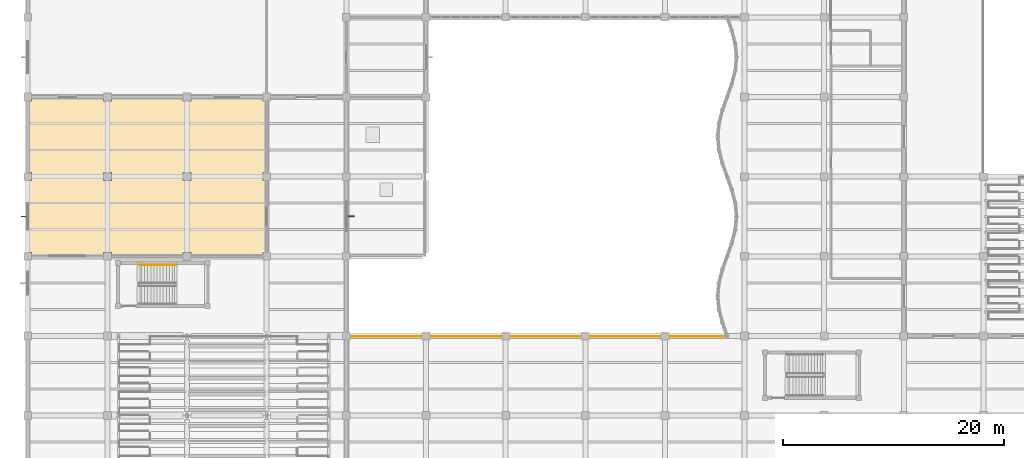
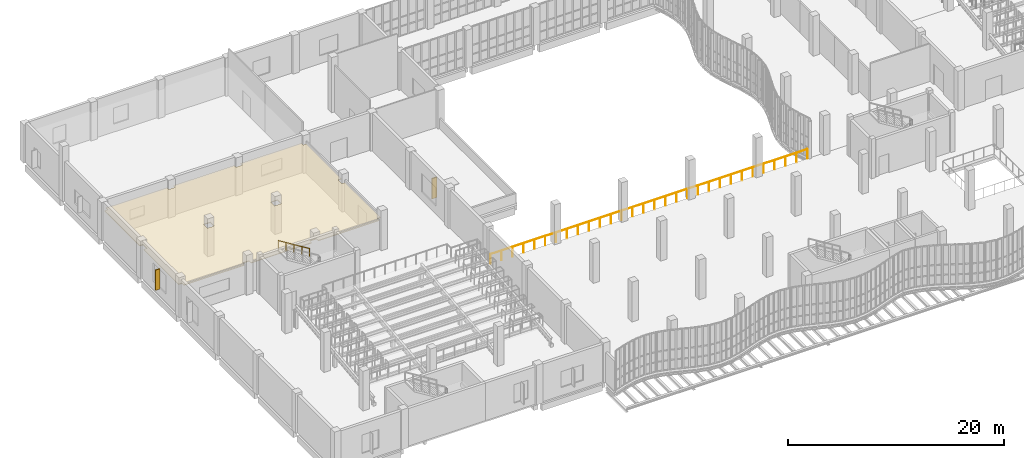
# One storey, part 98 of 108: 2 railings, 2 shading devices, 1 covering.
"""IFC4 building model written with IfcOpenShell, lengths in metres."""

from ifc_helpers import new_model, si_unit, direction, frame, origin, origin_2d, place, context, subcontext, project, spatial, polyline, rectangle, circle, outline, extrude, material, layer, layer_set, type_object, element, save


model = new_model("IFC4")

# Units and contexts
model_context = context("Model", 3, precision=1e-05, world=origin(), true_north=direction((0.0, 1.0)))
body_context = subcontext(model_context, "Body", "Model", "MODEL_VIEW")
ifc_project = project(units=[si_unit("LENGTHUNIT", "METRE"), si_unit("AREAUNIT", "SQUARE_METRE"), si_unit("VOLUMEUNIT", "CUBIC_METRE"), si_unit("PLANEANGLEUNIT", "RADIAN"), si_unit("MASSUNIT", "GRAM", prefix="KILO"), si_unit("THERMODYNAMICTEMPERATUREUNIT", "KELVIN"), si_unit("POWERUNIT", "WATT")], contexts=[model_context])

# Site, building, storey
site_placement = place(None, origin())
site = spatial("IfcSite", under=ifc_project, at=site_placement, CompositionType="ELEMENT")
building_placement = place(site_placement, origin())
building = spatial("IfcBuilding", under=site, at=building_placement, Name="Kaldorven Railside Theatre", CompositionType="ELEMENT")
storey_placement = place(building_placement, frame((0.0, 0.0, 5.39990234375)))
storey = spatial("IfcBuildingStorey", under=building, at=storey_placement, Name="L01", CompositionType="ELEMENT", Elevation=5.39990234375)

# Covering
ifc_material_1 = material(Name="Acoustic hardwood timber", Category="wood")
ifc_layer = layer(ifc_material_1, 0.080078125, Name="Acoustic hardwood timber")
ifc_layer_set = layer_set([ifc_layer], Name="Acoustic hardwood timber")
covering_type = type_object("IfcCoveringType", Name="COV-CLG-02", PredefinedType="CEILING", material=ifc_layer_set)
covering_placement = place(storey_placement, frame((0.0, 0.0, 3.170166015625)))
element("IfcCovering", 1, at=covering_placement, inside=storey, type_object=covering_type, Name="Studio Stage Acoustic Ceiling 011", PredefinedType="CEILING", context=body_context, shape_type="SweptSolid", body=[
    extrude(outline(polyline([(29.60009765625, 48.35205078125), (29.248046875, 48.35205078125), (29.248046875, 48.0), (22.751953125, 48.0), (22.751953125, 48.35205078125), (22.048095703125, 48.35205078125), (22.048095703125, 48.0), (15.552001953125, 48.0), (15.552001953125, 48.35205078125), (14.847900390625, 48.35205078125), (14.847900390625, 48.0), (8.35205078125, 48.0), (8.35205078125, 48.35205078125), (8.0, 48.35205078125), (8.0, 54.847900390625), (8.35205078125, 54.847900390625), (8.35205078125, 55.552001953125), (8.0, 55.552001953125), (8.0, 62.048095703125), (8.35205078125, 62.048095703125), (8.35205078125, 62.39990234375), (14.847900390625, 62.39990234375), (14.847900390625, 62.048095703125), (15.552001953125, 62.048095703125), (15.552001953125, 62.39990234375), (22.048095703125, 62.39990234375), (22.048095703125, 62.048095703125), (22.751953125, 62.048095703125), (22.751953125, 62.39990234375), (29.248046875, 62.39990234375), (29.248046875, 62.048095703125), (29.60009765625, 62.048095703125), (29.60009765625, 55.552001953125), (29.248046875, 55.552001953125), (29.248046875, 54.847900390625), (29.60009765625, 54.847900390625), (29.60009765625, 48.35205078125)]), holes=[polyline([(22.751953125, 55.552001953125), (22.048095703125, 55.552001953125), (22.048095703125, 54.847900390625), (22.751953125, 54.847900390625), (22.751953125, 55.552001953125)]), polyline([(15.552001953125, 55.552001953125), (14.847900390625, 55.552001953125), (14.847900390625, 54.847900390625), (15.552001953125, 54.847900390625), (15.552001953125, 55.552001953125)])]), origin(), (0.0, 0.0, 1.0), 0.079833984375),
])

# Railings
ifc_material_2 = material(Name="Anodised bronze aluminium", Category="aluminium")
railing_type_1 = type_object("IfcRailingType", Name="RLG-BAL-1100", PredefinedType="BALUSTRADE", material=ifc_material_2)
railing_1_placement = place(storey_placement, frame((37.019287109375, 40.760009765625, 0.0)))
element("IfcRailing", 2, at=railing_1_placement, inside=storey, type_object=railing_type_1, Name="L01 Safety Balustrade GR-043", PredefinedType="BALUSTRADE", context=body_context, shape_type="SweptSolid", body=[
    extrude(circle(Radius=0.02392578125, at=origin_2d()), frame((0.0, 0.0, 1.09619140625), z_axis=(1.0, 0.0, 0.0), x_axis=(0.0, 1.0, 0.0)), (0.0, 0.0, 1.0), 33.897705078125),
    extrude(circle(Radius=0.02099609375, at=origin_2d()), origin(), (0.0, 0.0, 1.0), 1.072021484375),
    extrude(circle(Radius=0.02099609375, at=origin_2d()), frame((1.1689453125, 0.0, 0.0)), (0.0, 0.0, 1.0), 1.072021484375),
    extrude(circle(Radius=0.02099609375, at=origin_2d()), frame((2.337890625, 0.0, 0.0)), (0.0, 0.0, 1.0), 1.072021484375),
    extrude(circle(Radius=0.02099609375, at=origin_2d()), frame((3.506591796875, 0.0, 0.0)), (0.0, 0.0, 1.0), 1.072021484375),
    extrude(circle(Radius=0.02099609375, at=origin_2d()), frame((4.675537109375, 0.0, 0.0)), (0.0, 0.0, 1.0), 1.072021484375),
    extrude(circle(Radius=0.02099609375, at=origin_2d()), frame((5.844482421875, 0.0, 0.0)), (0.0, 0.0, 1.0), 1.072021484375),
    extrude(circle(Radius=0.02099609375, at=origin_2d()), frame((7.013427734375, 0.0, 0.0)), (0.0, 0.0, 1.0), 1.072021484375),
    extrude(circle(Radius=0.02099609375, at=origin_2d()), frame((8.18212890625, 0.0, 0.0)), (0.0, 0.0, 1.0), 1.072021484375),
    extrude(circle(Radius=0.02099609375, at=origin_2d()), frame((9.35107421875, 0.0, 0.0)), (0.0, 0.0, 1.0), 1.072021484375),
    extrude(circle(Radius=0.02099609375, at=origin_2d()), frame((10.52001953125, 0.0, 0.0)), (0.0, 0.0, 1.0), 1.072021484375),
    extrude(circle(Radius=0.02099609375, at=origin_2d()), frame((11.68896484375, 0.0, 0.0)), (0.0, 0.0, 1.0), 1.072021484375),
    extrude(circle(Radius=0.02099609375, at=origin_2d()), frame((12.857666015625, 0.0, 0.0)), (0.0, 0.0, 1.0), 1.072021484375),
    extrude(circle(Radius=0.02099609375, at=origin_2d()), frame((14.026611328125, 0.0, 0.0)), (0.0, 0.0, 1.0), 1.072021484375),
    extrude(circle(Radius=0.02099609375, at=origin_2d()), frame((15.195556640625, 0.0, 0.0)), (0.0, 0.0, 1.0), 1.072021484375),
    extrude(circle(Radius=0.02099609375, at=origin_2d()), frame((16.364501953125, 0.0, 0.0)), (0.0, 0.0, 1.0), 1.072021484375),
    extrude(circle(Radius=0.02099609375, at=origin_2d()), frame((17.533203125, 0.0, 0.0)), (0.0, 0.0, 1.0), 1.072021484375),
    extrude(circle(Radius=0.02099609375, at=origin_2d()), frame((18.7021484375, 0.0, 0.0)), (0.0, 0.0, 1.0), 1.072021484375),
    extrude(circle(Radius=0.02099609375, at=origin_2d()), frame((19.87109375, 0.0, 0.0)), (0.0, 0.0, 1.0), 1.072021484375),
    extrude(circle(Radius=0.02099609375, at=origin_2d()), frame((21.0400390625, 0.0, 0.0)), (0.0, 0.0, 1.0), 1.072021484375),
    extrude(circle(Radius=0.02099609375, at=origin_2d()), frame((22.208740234375, 0.0, 0.0)), (0.0, 0.0, 1.0), 1.072021484375),
    extrude(circle(Radius=0.02099609375, at=origin_2d()), frame((23.377685546875, 0.0, 0.0)), (0.0, 0.0, 1.0), 1.072021484375),
    extrude(circle(Radius=0.02099609375, at=origin_2d()), frame((24.546630859375, 0.0, 0.0)), (0.0, 0.0, 1.0), 1.072021484375),
    extrude(circle(Radius=0.02099609375, at=origin_2d()), frame((25.715576171875, 0.0, 0.0)), (0.0, 0.0, 1.0), 1.072021484375),
    extrude(circle(Radius=0.02099609375, at=origin_2d()), frame((26.88427734375, 0.0, 0.0)), (0.0, 0.0, 1.0), 1.072021484375),
    extrude(circle(Radius=0.02099609375, at=origin_2d()), frame((28.05322265625, 0.0, 0.0)), (0.0, 0.0, 1.0), 1.072021484375),
    extrude(circle(Radius=0.02099609375, at=origin_2d()), frame((29.22216796875, 0.0, 0.0)), (0.0, 0.0, 1.0), 1.072021484375),
    extrude(circle(Radius=0.02099609375, at=origin_2d()), frame((30.39111328125, 0.0, 0.0)), (0.0, 0.0, 1.0), 1.072021484375),
    extrude(circle(Radius=0.02099609375, at=origin_2d()), frame((31.559814453125, 0.0, 0.0)), (0.0, 0.0, 1.0), 1.072021484375),
    extrude(circle(Radius=0.02099609375, at=origin_2d()), frame((32.728759765625, 0.0, 0.0)), (0.0, 0.0, 1.0), 1.072021484375),
    extrude(circle(Radius=0.02099609375, at=origin_2d()), frame((33.897705078125, 0.0, 0.0)), (0.0, 0.0, 1.0), 1.072021484375),
])
ifc_material_3 = material(Name="Steel S355", Category="steel")
railing_type_2 = type_object("IfcRailingType", Name="RLG-STH-900", PredefinedType="HANDRAIL", material=ifc_material_3)
railing_2_placement = place(storey_placement, frame((21.360107421875, 47.199951171875, 2.423095703125)))
element("IfcRailing", 3, at=railing_2_placement, inside=storey, type_object=railing_type_2, Name="L01 ST-02 stair handrail 2", PredefinedType="HANDRAIL", context=body_context, shape_type="SweptSolid", body=[
    extrude(circle(Radius=0.02392578125, at=origin_2d()), frame((0.0, 0.0, 0.8759765625), z_axis=(-0.850623216509, 0.0, 0.525775754039), x_axis=(0.0, -1.0, 0.0)), (0.0, 0.0, 1.0), 3.9501953125),
    extrude(circle(Radius=0.02099609375, at=origin_2d()), origin(), (0.0, 0.0, 1.0), 0.851806640625),
    extrude(circle(Radius=0.02099609375, at=origin_2d()), frame((-0.840087890625, 0.0, 0.519287109375)), (0.0, 0.0, 1.0), 0.851806640625),
    extrude(circle(Radius=0.02099609375, at=origin_2d()), frame((-1.68017578125, 0.0, 1.03857421875)), (0.0, 0.0, 1.0), 0.851806640625),
    extrude(circle(Radius=0.02099609375, at=origin_2d()), frame((-2.52001953125, 0.0, 1.5576171875)), (0.0, 0.0, 1.0), 0.851806640625),
    extrude(circle(Radius=0.02099609375, at=origin_2d()), frame((-3.360107421875, 0.0, 2.076904296875)), (0.0, 0.0, 1.0), 0.851806640625),
])

# Shading devices
shading_device_type_1 = type_object("IfcShadingDeviceType", Name="SHD-FIN-01", PredefinedType="USERDEFINED", material=ifc_material_2)
shading_device_1_placement = place(storey_placement, frame((7.618896484375, 51.60009765625, 0.80029296875), z_axis=(0.0, 0.0, 1.0), x_axis=(0.0, 1.0, 0.0)))
element("IfcShadingDevice", 4, at=shading_device_1_placement, inside=storey, type_object=shading_device_type_1, Name="Anodised-Bronze Brise-Soleil Fin FIN-011", ObjectType="SUNSHADE", PredefinedType="USERDEFINED", context=body_context, shape_type="SweptSolid", body=[
    extrude(rectangle(XDim=0.080078125, YDim=0.449951171875, at=origin_2d()), origin(), (0.0, 0.0, 1.0), 2.300048828125),
])
shading_device_type_2 = type_object("IfcShadingDeviceType", Name="SHD-FIN-02", PredefinedType="USERDEFINED", material=ifc_material_2)
shading_device_2_placement = place(storey_placement, frame((37.23095703125, 51.60009765625, 0.80029296875), z_axis=(0.0, 0.0, 1.0), x_axis=(0.0, -1.0, 0.0)))
element("IfcShadingDevice", 5, at=shading_device_2_placement, inside=storey, type_object=shading_device_type_2, Name="Anodised-Bronze Brise-Soleil Fin FIN-012", ObjectType="SUNSHADE", PredefinedType="USERDEFINED", context=body_context, shape_type="SweptSolid", body=[
    extrude(rectangle(XDim=0.10009765625, YDim=0.550048828125, at=origin_2d()), origin(), (0.0, 0.0, 1.0), 2.300048828125),
])

save(model, "model.ifc")
